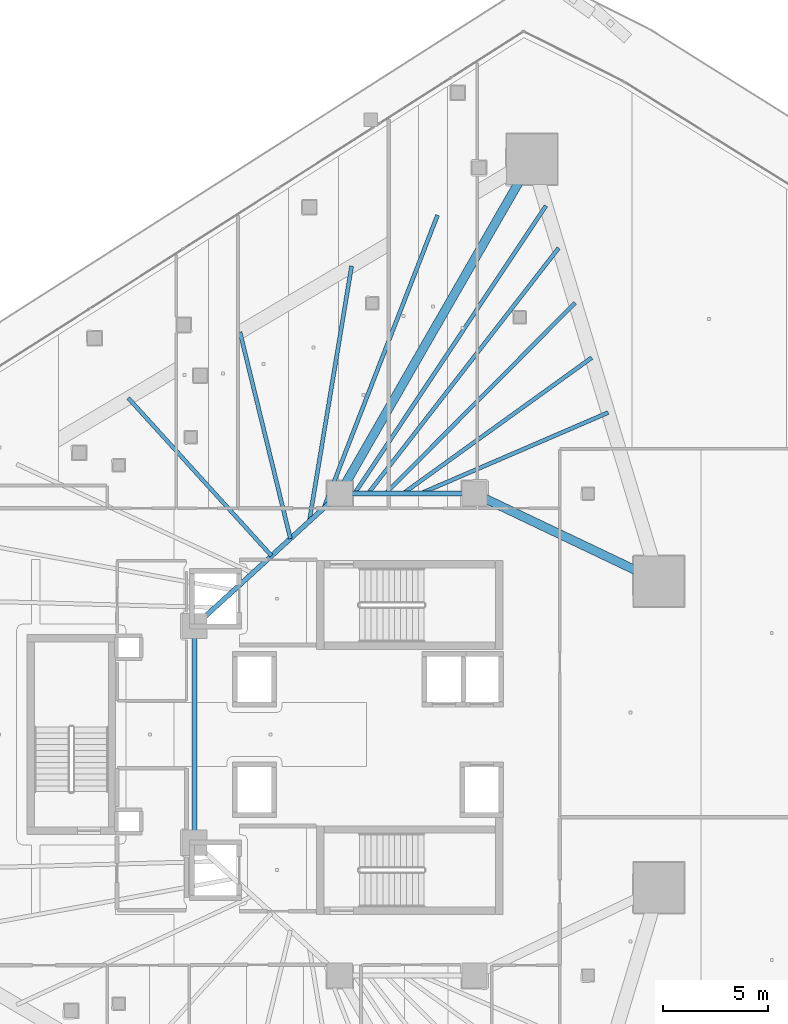
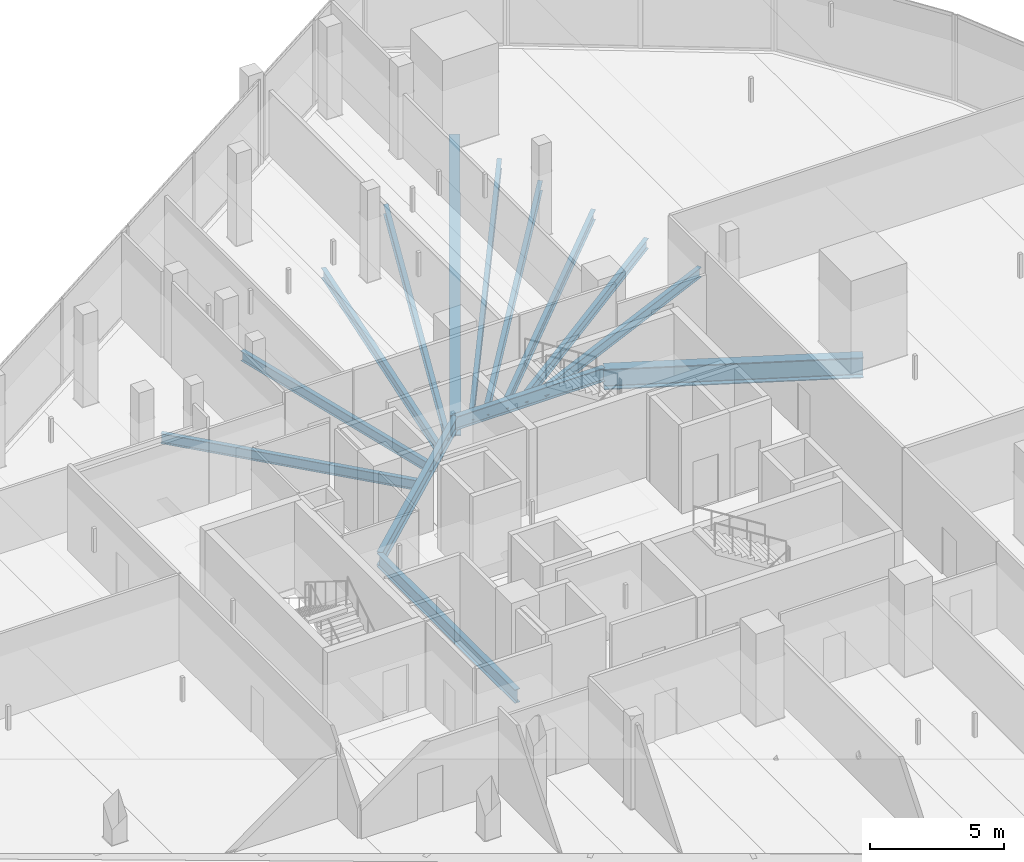
# One storey, part 19 of 44: 14 beams.
"""IFC4 building model written with IfcOpenShell, lengths in metres."""

from ifc_helpers import new_model, si_unit, direction, frame, origin, origin_2d, place, context, subcontext, project, spatial, i_section, extrude, material, material_profile, profile_set, type_object, element, save


model = new_model("IFC4")

# Units and contexts
model_context = context("Model", 3, precision=1e-05, world=origin(), true_north=direction((0.0, 1.0)))
body_context = subcontext(model_context, "Body", "Model", "MODEL_VIEW")
ifc_project = project(units=[si_unit("LENGTHUNIT", "METRE"), si_unit("AREAUNIT", "SQUARE_METRE"), si_unit("VOLUMEUNIT", "CUBIC_METRE"), si_unit("PLANEANGLEUNIT", "RADIAN"), si_unit("MASSUNIT", "GRAM", prefix="KILO")], contexts=[model_context])

# Site, building, storey
site_placement = place(None, origin())
site = spatial("IfcSite", under=ifc_project, at=site_placement, CompositionType="ELEMENT")
building_placement = place(site_placement, origin())
building = spatial("IfcBuilding", under=site, at=building_placement, Name="Qorvath Tower", CompositionType="ELEMENT")
storey_placement = place(building_placement, frame((0.0, 0.0, 45.0)))
storey = spatial("IfcBuildingStorey", under=building, at=storey_placement, Name="L09", CompositionType="ELEMENT", Elevation=45.0)

# Beams
ifc_material_1 = material(Name="Steel ASTM A992 Grade 50", Category="steel")
ifc_material_profile_1 = material_profile(ifc_material_1, i_section(OverallWidth=0.422119140625, OverallDepth=0.93310546875, WebThickness=0.021240234375, FlangeThickness=0.039794921875, FilletRadius=0.02392578125, at=origin_2d()), Name="W36x262")
ifc_profile_set_1 = profile_set([ifc_material_profile_1], Name="Steel ASTM A992 Grade 50")
beam_type_1 = type_object("IfcBeamType", Name="BM-FG1", PredefinedType="BEAM", material=ifc_profile_set_1)
beam_1_placement = place(storey_placement, frame((-23.60009765625, 11.449951171875, -0.74658203125), z_axis=(0.498645367714, 0.866806089767, 0.0), x_axis=(-0.866806089767, 0.498645367714, 0.0)))
element("IfcBeam", 1, at=beam_1_placement, inside=storey, type_object=beam_type_1, Name="Radial Floor Girder CC1-MC6 L09", PredefinedType="BEAM", context=body_context, shape_type="SweptSolid", body=[
    extrude(i_section(OverallWidth=0.422119140625, OverallDepth=0.93310546875, WebThickness=0.021240234375, FlangeThickness=0.039794921875, FilletRadius=0.02392578125, at=origin_2d()), origin(), (0.0, 0.0, 1.0), 18.321044921875),
])
beam_2_placement = place(storey_placement, frame((-17.199951171875, 11.449951171875, -0.74658203125), z_axis=(0.902955751435, -0.429733534821, 0.0), x_axis=(0.429733534821, 0.902955751435, 0.0)))
element("IfcBeam", 2, at=beam_2_placement, inside=storey, type_object=beam_type_1, Name="Radial Floor Girder CC2-MC5 L09", PredefinedType="BEAM", context=body_context, shape_type="SweptSolid", body=[
    extrude(i_section(OverallWidth=0.422119140625, OverallDepth=0.93310546875, WebThickness=0.021240234375, FlangeThickness=0.039794921875, FilletRadius=0.02392578125, at=origin_2d()), origin(), (0.0, 0.0, 1.0), 9.7119140625),
])
ifc_material_2 = material(Name="Steel ASTM A992 Grade 50", Category="steel")
ifc_material_profile_2 = material_profile(ifc_material_2, i_section(OverallWidth=0.22998046875, OverallDepth=0.616943359375, WebThickness=0.01318359375, FlangeThickness=0.022216796875, FilletRadius=0.014892578125, at=origin_2d()), Name="W24x94")
ifc_profile_set_2 = profile_set([ifc_material_profile_2], Name="Steel ASTM A992 Grade 50")
beam_type_2 = type_object("IfcBeamType", Name="BM-FG6", PredefinedType="BEAM", material=ifc_profile_set_2)
beam_3_placement = place(storey_placement, frame((-23.60009765625, 11.449951171875, -0.58837890625), z_axis=(1.0, 0.0, 0.0), x_axis=(0.0, 1.0, 0.0)))
element("IfcBeam", 3, at=beam_3_placement, inside=storey, type_object=beam_type_2, Name="Core Ring Girder CC1-CC2 L09", PredefinedType="BEAM", context=body_context, shape_type="SweptSolid", body=[
    extrude(i_section(OverallWidth=0.22998046875, OverallDepth=0.616943359375, WebThickness=0.01318359375, FlangeThickness=0.022216796875, FilletRadius=0.014892578125, at=origin_2d()), origin(), (0.0, 0.0, 1.0), 6.400146484375),
])
beam_4_placement = place(storey_placement, frame((-30.5, -5.14990234375, -0.58837890625), z_axis=(0.0, 1.0, 0.0), x_axis=(-1.0, 0.0, 0.0)))
element("IfcBeam", 4, at=beam_4_placement, inside=storey, type_object=beam_type_2, Name="Core Ring Girder CC6-CC5 L09", PredefinedType="BEAM", context=body_context, shape_type="SweptSolid", body=[
    extrude(i_section(OverallWidth=0.22998046875, OverallDepth=0.616943359375, WebThickness=0.01318359375, FlangeThickness=0.022216796875, FilletRadius=0.014892578125, at=origin_2d()), origin(), (0.0, 0.0, 1.0), 10.2998046875),
])
beam_5_placement = place(storey_placement, frame((-30.5, 5.14990234375, -0.58837890625), z_axis=(0.73847813985, 0.6742774184, 0.0), x_axis=(-0.6742774184, 0.73847813985, 0.0)))
element("IfcBeam", 5, at=beam_5_placement, inside=storey, type_object=beam_type_2, Name="Core Ring Girder CC5-CC1 L09", PredefinedType="BEAM", context=body_context, shape_type="SweptSolid", body=[
    extrude(i_section(OverallWidth=0.22998046875, OverallDepth=0.616943359375, WebThickness=0.01318359375, FlangeThickness=0.022216796875, FilletRadius=0.014892578125, at=origin_2d()), origin(), (0.0, 0.0, 1.0), 9.343505859375),
])
ifc_material_3 = material(Name="Steel ASTM A992 Grade 50", Category="steel")
ifc_material_profile_3 = material_profile(ifc_material_3, i_section(OverallWidth=0.18994140625, OverallDepth=0.45703125, WebThickness=0.009033203125, FlangeThickness=0.014404296875, FilletRadius=0.011962890625, at=origin_2d()), Name="W18x50")
ifc_profile_set_3 = profile_set([ifc_material_profile_3], Name="Steel ASTM A992 Grade 50")
beam_type_3 = type_object("IfcBeamType", Name="BM-FJ2", PredefinedType="JOIST", material=ifc_profile_set_3)
beam_6_placement = place(storey_placement, frame((-19.760009765625, 11.449951171875, -0.508544921875), z_axis=(0.918135537923, 0.396266493667, 0.0), x_axis=(-0.396266493667, 0.918135537923, 0.0)))
element("IfcBeam", 6, at=beam_6_placement, inside=storey, type_object=beam_type_3, Name="Composite Floor Joist NE3 L09", PredefinedType="JOIST", context=body_context, shape_type="SweptSolid", body=[
    extrude(i_section(OverallWidth=0.18994140625, OverallDepth=0.45703125, WebThickness=0.009033203125, FlangeThickness=0.014404296875, FilletRadius=0.011962890625, at=origin_2d()), origin(), (0.0, 0.0, 1.0), 9.7109375),
])
beam_7_placement = place(storey_placement, frame((-20.592041015625, 11.449951171875, -0.508544921875), z_axis=(0.811469358397, 0.584394969505, 0.0), x_axis=(-0.584394969505, 0.811469358397, 0.0)))
element("IfcBeam", 7, at=beam_7_placement, inside=storey, type_object=beam_type_3, Name="Composite Floor Joist NE4 L09", PredefinedType="JOIST", context=body_context, shape_type="SweptSolid", body=[
    extrude(i_section(OverallWidth=0.18994140625, OverallDepth=0.45703125, WebThickness=0.009033203125, FlangeThickness=0.014404296875, FilletRadius=0.011962890625, at=origin_2d()), origin(), (0.0, 0.0, 1.0), 11.046142578125),
])
beam_8_placement = place(storey_placement, frame((-21.424072265625, 11.449951171875, -0.508544921875), z_axis=(0.705107654599, 0.709100271771, 0.0), x_axis=(-0.709100271771, 0.705107654599, 0.0)))
element("IfcBeam", 8, at=beam_8_placement, inside=storey, type_object=beam_type_3, Name="Composite Floor Joist NE5 L09", PredefinedType="JOIST", context=body_context, shape_type="SweptSolid", body=[
    extrude(i_section(OverallWidth=0.18994140625, OverallDepth=0.45703125, WebThickness=0.009033203125, FlangeThickness=0.014404296875, FilletRadius=0.011962890625, at=origin_2d()), origin(), (0.0, 0.0, 1.0), 12.780029296875),
])
beam_9_placement = place(storey_placement, frame((-22.256103515625, 11.449951171875, -0.508544921875), z_axis=(0.613206963859, 0.789922286984, 0.0), x_axis=(-0.789922286984, 0.613206963859, 0.0)))
element("IfcBeam", 9, at=beam_9_placement, inside=storey, type_object=beam_type_3, Name="Composite Floor Joist NE6 L09", PredefinedType="JOIST", context=body_context, shape_type="SweptSolid", body=[
    extrude(i_section(OverallWidth=0.18994140625, OverallDepth=0.45703125, WebThickness=0.009033203125, FlangeThickness=0.014404296875, FilletRadius=0.011962890625, at=origin_2d()), origin(), (0.0, 0.0, 1.0), 14.77294921875),
])
beam_10_placement = place(storey_placement, frame((-22.89599609375, 11.449951171875, -0.508544921875), z_axis=(0.553811384989, 0.83264214994, 0.0), x_axis=(-0.83264214994, 0.553811384989, 0.0)))
element("IfcBeam", 10, at=beam_10_placement, inside=storey, type_object=beam_type_3, Name="Composite Floor Joist NE7 L09", PredefinedType="JOIST", context=body_context, shape_type="SweptSolid", body=[
    extrude(i_section(OverallWidth=0.18994140625, OverallDepth=0.45703125, WebThickness=0.009033203125, FlangeThickness=0.014404296875, FilletRadius=0.011962890625, at=origin_2d()), origin(), (0.0, 0.0, 1.0), 16.42333984375),
])
beam_11_placement = place(storey_placement, frame((-26.843017578125, 8.489013671875, -0.508544921875), z_axis=(-0.672128980215, 0.740434084815, 0.0), x_axis=(-0.740434084815, -0.672128980215, 0.0)))
element("IfcBeam", 11, at=beam_11_placement, inside=storey, type_object=beam_type_3, Name="Composite Floor Joist NW4 L09", PredefinedType="JOIST", context=body_context, shape_type="SweptSolid", body=[
    extrude(i_section(OverallWidth=0.18994140625, OverallDepth=0.45703125, WebThickness=0.009033203125, FlangeThickness=0.014404296875, FilletRadius=0.011962890625, at=origin_2d()), origin(), (0.0, 0.0, 1.0), 10.1259765625),
])
beam_12_placement = place(storey_placement, frame((-25.946044921875, 9.30810546875, -0.508544921875), z_axis=(-0.237165308581, 0.97146930801, 0.0), x_axis=(-0.97146930801, -0.237165308581, 0.0)))
element("IfcBeam", 12, at=beam_12_placement, inside=storey, type_object=beam_type_3, Name="Composite Floor Joist NW5 L09", PredefinedType="JOIST", context=body_context, shape_type="SweptSolid", body=[
    extrude(i_section(OverallWidth=0.18994140625, OverallDepth=0.45703125, WebThickness=0.009033203125, FlangeThickness=0.014404296875, FilletRadius=0.011962890625, at=origin_2d()), origin(), (0.0, 0.0, 1.0), 10.104736328125),
])
beam_13_placement = place(storey_placement, frame((-25.049072265625, 10.126953125, -0.508544921875), z_axis=(0.163639384475, 0.98652022374, 0.0), x_axis=(-0.98652022374, 0.163639384475, 0.0)))
element("IfcBeam", 13, at=beam_13_placement, inside=storey, type_object=beam_type_3, Name="Composite Floor Joist NW6 L09", PredefinedType="JOIST", context=body_context, shape_type="SweptSolid", body=[
    extrude(i_section(OverallWidth=0.18994140625, OverallDepth=0.45703125, WebThickness=0.009033203125, FlangeThickness=0.014404296875, FilletRadius=0.011962890625, at=origin_2d()), origin(), (0.0, 0.0, 1.0), 12.301025390625),
])
beam_14_placement = place(storey_placement, frame((-24.35888671875, 10.757080078125, -0.508544921875), z_axis=(0.361964096586, 0.93219203643, 0.0), x_axis=(-0.93219203643, 0.361964096586, 0.0)))
element("IfcBeam", 14, at=beam_14_placement, inside=storey, type_object=beam_type_3, Name="Composite Floor Joist NW7 L09", PredefinedType="JOIST", context=body_context, shape_type="SweptSolid", body=[
    extrude(i_section(OverallWidth=0.18994140625, OverallDepth=0.45703125, WebThickness=0.009033203125, FlangeThickness=0.014404296875, FilletRadius=0.011962890625, at=origin_2d()), origin(), (0.0, 0.0, 1.0), 14.93115234375),
])

save(model, "model.ifc")
